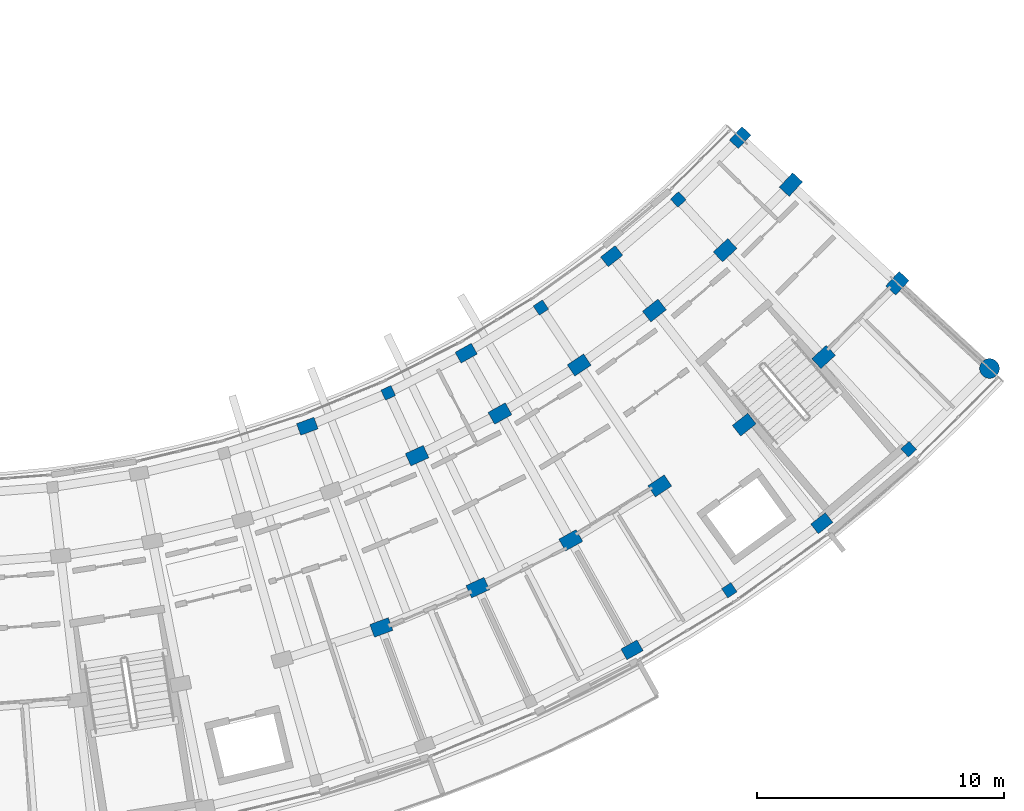
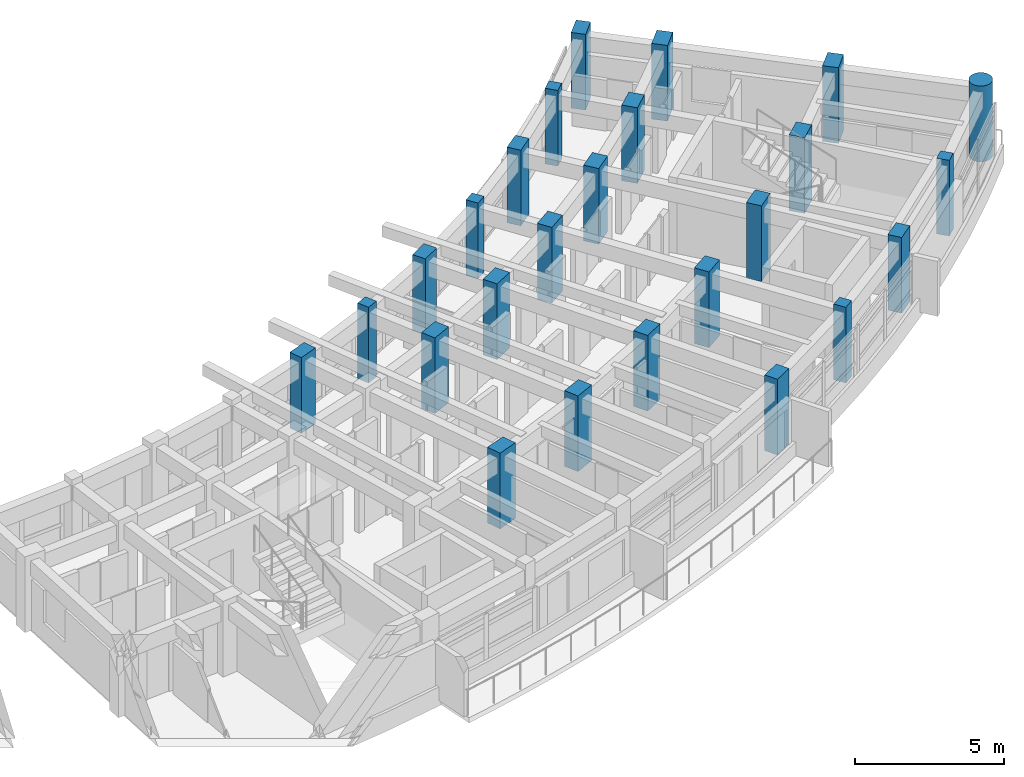
# One storey, part 2 of 55: 25 columns.
"""IFC4 building model written with IfcOpenShell, lengths in metres."""

from ifc_helpers import new_model, si_unit, direction, frame, origin, origin_2d, place, context, subcontext, project, spatial, rectangle, circle, extrude, material, material_profile, profile_set, type_object, element, save


model = new_model("IFC4")

# Units and contexts
model_context = context("Model", 3, precision=1e-05, world=origin(), true_north=direction((0.0, 1.0)))
body_context = subcontext(model_context, "Body", "Model", "MODEL_VIEW")
ifc_project = project(units=[si_unit("LENGTHUNIT", "METRE"), si_unit("AREAUNIT", "SQUARE_METRE"), si_unit("VOLUMEUNIT", "CUBIC_METRE"), si_unit("PLANEANGLEUNIT", "RADIAN"), si_unit("MASSUNIT", "GRAM", prefix="KILO")], contexts=[model_context])

# Site, building, storey
site_placement = place(None, origin())
site = spatial("IfcSite", under=ifc_project, at=site_placement, CompositionType="ELEMENT")
building_placement = place(site_placement, origin())
building = spatial("IfcBuilding", under=site, at=building_placement, Name="Zimvara Arc Housing Community", CompositionType="ELEMENT")
storey_placement = place(building_placement, frame((0.0, 0.0, 14.300048828125)))
storey = spatial("IfcBuildingStorey", under=building, at=storey_placement, Name="L04", CompositionType="ELEMENT", Elevation=14.300048828125)

# Columns
ifc_material_1 = material(Name="Concrete C40/50", Category="concrete")
ifc_material_profile_1 = material_profile(ifc_material_1, rectangle(XDim=0.449951171875, YDim=0.449951171875, at=origin_2d()), Name="RC 450x450")
ifc_profile_set_1 = profile_set([ifc_material_profile_1], Name="Concrete C40/50")
column_type_1 = type_object("IfcColumnType", Name="COL-RC-450x450", PredefinedType="COLUMN", material=ifc_profile_set_1)
for number, where, z_axis, x_axis, name in (
    (1, (144.834228515625, 68.8681640625, 0.0), (0.0, 0.0, 1.0), (0.417867073801, -0.908508177527, 0.0), "col:blkD:L04:b5:r0"),
    (2, (151.0146484375, 72.322265625, 0.0), (0.0, 0.0, 1.0), (0.554844427448, -0.83195412213, 0.0), "col:blkD:L04:b7:r0"),
    (3, (158.649169921875, 60.87451171875, 0.0), (0.0, 0.0, 1.0), (0.554844427448, -0.83195412213, 0.0), "col:blkD:L04:b7:r3"),
    (4, (156.57861328125, 76.70068359375, 0.0), (0.0, 0.0, 1.0), (0.678159669868, -0.73491459515, 0.0), "col:blkD:L04:b9:r0"),
    (5, (165.91015625, 66.588134765625, 0.0), (0.0, 0.0, 1.0), (0.678159669868, -0.73491459515, 0.0), "col:blkD:L04:b9:r3"),
):
    element("IfcColumn", number, at=place(storey_placement, frame(where, z_axis=z_axis, x_axis=x_axis)), inside=storey, type_object=column_type_1, Name=name, PredefinedType="COLUMN", context=body_context, shape_type="SweptSolid", body=[
        extrude(rectangle(XDim=0.449951171875, YDim=0.449951171875, at=origin_2d()), origin(), (0.0, 0.0, 1.0), 3.099853515625),
    ])
ifc_material_2 = material(Name="Concrete C40/50", Category="concrete")
ifc_material_profile_2 = material_profile(ifc_material_2, rectangle(XDim=0.5, YDim=0.75, at=origin_2d()), Name="RC 500x750")
ifc_profile_set_2 = profile_set([ifc_material_profile_2], Name="Concrete C40/50")
column_type_2 = type_object("IfcColumnType", Name="COL-RC-500x750", PredefinedType="COLUMN", material=ifc_profile_set_2)
for number, where, z_axis, x_axis, name in (
    (6, (141.559814453125, 67.51513671875, 0.0), (0.0, 0.0, 1.0), (0.345298198999, -0.93849302276, 0.0), "col:blkD:L04:b4:r0"),
    (7, (147.9921875, 70.473876953125, 0.0), (0.0, 0.0, 1.0), (0.487859659139, -0.87292207727, 0.0), "col:blkD:L04:b6:r0"),
    (8, (154.705078125, 58.46240234375, 0.0), (0.0, 0.0, 1.0), (0.487859659139, -0.87292207727, 0.0), "col:blkD:L04:b6:r3"),
    (9, (153.882568359375, 74.402099609375, 0.0), (0.0, 0.0, 1.0), (0.618408395358, -0.785856893175, 0.0), "col:blkD:L04:b8:r0"),
    (10, (162.391845703125, 63.5888671875, 0.0), (0.0, 0.0, 1.0), (0.618408395358, -0.785856893175, 0.0), "col:blkD:L04:b8:r3"),
    (11, (159.0859375, 79.20361328125, 0.0), (0.0, 0.0, 1.0), (0.733729864503, -0.679441304262, 0.0), "col:blkD:L04:b10:r0"),
):
    element("IfcColumn", number, at=place(storey_placement, frame(where, z_axis=z_axis, x_axis=x_axis)), inside=storey, type_object=column_type_2, Name=name, PredefinedType="COLUMN", context=body_context, shape_type="SweptSolid", body=[
        extrude(rectangle(XDim=0.5, YDim=0.75, at=origin_2d()), origin(), (0.0, 0.0, 1.0), 3.099853515625),
    ])
ifc_material_3 = material(Name="Concrete C40/50", Category="concrete")
ifc_material_profile_3 = material_profile(ifc_material_3, rectangle(XDim=0.550048828125, YDim=0.800048828125, at=origin_2d()), Name="RC 550x800")
ifc_profile_set_3 = profile_set([ifc_material_profile_3], Name="Concrete C40/50")
column_type_3 = type_object("IfcColumnType", Name="COL-RC-550x800", PredefinedType="COLUMN", material=ifc_profile_set_3)
for number, where, z_axis, x_axis, name in (
    (12, (144.55712890625, 59.369140625, 0.0), (0.0, 0.0, 1.0), (0.345298198999, -0.93849302276, 0.0), "col:blkD:L04:b4:r2"),
    (13, (146.004150390625, 66.32421875, 0.0), (0.0, 0.0, 1.0), (0.417867073801, -0.908508177527, 0.0), "col:blkD:L04:b5:r1"),
    (14, (148.461181640625, 60.982177734375, 0.0), (0.0, 0.0, 1.0), (0.417867073801, -0.908508177527, 0.0), "col:blkD:L04:b5:r2"),
    (15, (149.358154296875, 68.029541015625, 0.0), (0.0, 0.0, 1.0), (0.487859659139, -0.87292207727, 0.0), "col:blkD:L04:b6:r1"),
    (16, (152.226806640625, 62.896728515625, 0.0), (0.0, 0.0, 1.0), (0.487859659139, -0.87292207727, 0.0), "col:blkD:L04:b6:r2"),
    (17, (152.568115234375, 69.99267578125, 0.0), (0.0, 0.0, 1.0), (0.554844427448, -0.83195412213, 0.0), "col:blkD:L04:b7:r1"),
    (18, (155.83056640625, 65.100830078125, 0.0), (0.0, 0.0, 1.0), (0.554844427448, -0.83195412213, 0.0), "col:blkD:L04:b7:r2"),
    (19, (155.614013671875, 72.20166015625, 0.0), (0.0, 0.0, 1.0), (0.618408395358, -0.785856893175, 0.0), "col:blkD:L04:b8:r1"),
    (20, (159.25048828125, 67.580810546875, 0.0), (0.0, 0.0, 1.0), (0.618408395358, -0.785856893175, 0.0), "col:blkD:L04:b8:r2"),
    (21, (158.477294921875, 74.642822265625, 0.0), (0.0, 0.0, 1.0), (0.678159669868, -0.73491459515, 0.0), "col:blkD:L04:b9:r1"),
    (22, (162.465087890625, 70.321533203125, 0.0), (0.0, 0.0, 1.0), (0.678159669868, -0.73491459515, 0.0), "col:blkD:L04:b9:r2"),
    (23, (161.140380859375, 77.30126953125, 0.0), (0.0, 0.0, 1.0), (0.733729864503, -0.679441304262, 0.0), "col:blkD:L04:b10:r1"),
    (24, (165.45458984375, 73.30615234375, 0.0), (0.0, 0.0, 1.0), (0.733729864503, -0.679441304262, 0.0), "col:blkD:L04:b10:r2"),
):
    element("IfcColumn", number, at=place(storey_placement, frame(where, z_axis=z_axis, x_axis=x_axis)), inside=storey, type_object=column_type_3, Name=name, PredefinedType="COLUMN", context=body_context, shape_type="SweptSolid", body=[
        extrude(rectangle(XDim=0.550048828125, YDim=0.800048828125, at=origin_2d()), origin(), (0.0, 0.0, 1.0), 3.099853515625),
    ])
ifc_material_4 = material(Name="Concrete C40/50", Category="concrete")
ifc_material_profile_4 = material_profile(ifc_material_4, circle(Radius=0.39990234375, at=origin_2d()), Name="RC D800")
ifc_profile_set_4 = profile_set([ifc_material_profile_4], Name="Concrete C40/50")
column_type_4 = type_object("IfcColumnType", Name="COL-RC-D700", PredefinedType="COLUMN", material=ifc_profile_set_4)
column_placement = place(storey_placement, frame((169.18212890625, 69.8544921875, 0.0), z_axis=(0.0, 0.0, 1.0), x_axis=(0.733729864503, -0.679441304262, 0.0)))
element("IfcColumn", 25, at=column_placement, inside=storey, type_object=column_type_4, Name="col:blkD:L04:b10:r3", PredefinedType="COLUMN", context=body_context, shape_type="SweptSolid", body=[
    extrude(circle(Radius=0.39990234375, at=origin_2d()), origin(), (0.0, 0.0, 1.0), 3.099853515625),
])

save(model, "model.ifc")
